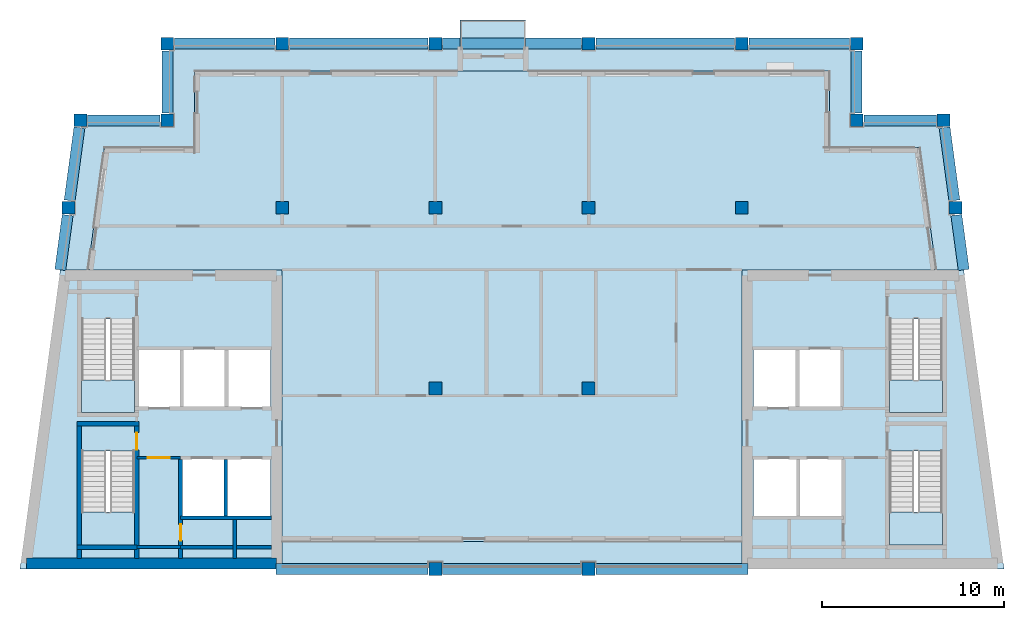
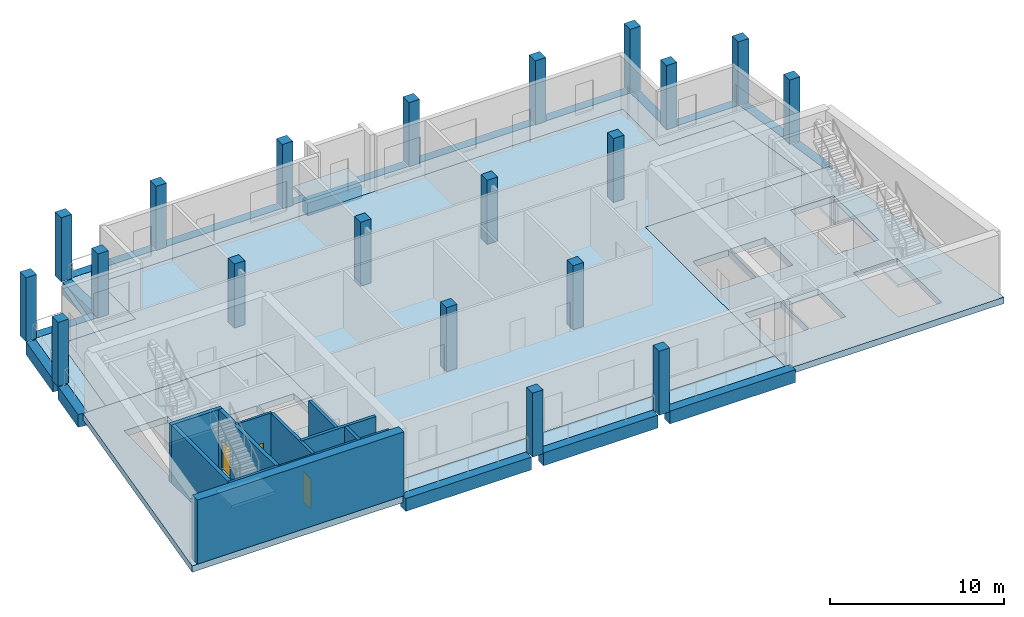
# One storey, part 1 of 9: 20 columns, 18 beams, 12 walls, 10 slabs, 3 doors, 3 openings, 4 elements without a shape of their own.
"""IFC4 building model written with IfcOpenShell, lengths in metres."""

from ifc_helpers import new_model, si_unit, direction, frame, frame_2d, origin, origin_2d, place, context, subcontext, project, spatial, polyline, rectangle, outline, extrude, material, layer, layer_set, material_profile, profile_set, type_object, element, fill, aggregate, save


model = new_model("IFC4")

# Units and contexts
model_context = context("Model", 3, precision=1e-05, world=origin(), true_north=direction((0.0, 1.0)))
body_context = subcontext(model_context, "Body", "Model", "MODEL_VIEW")
ifc_project = project(units=[si_unit("LENGTHUNIT", "METRE"), si_unit("AREAUNIT", "SQUARE_METRE"), si_unit("VOLUMEUNIT", "CUBIC_METRE"), si_unit("PLANEANGLEUNIT", "RADIAN"), si_unit("MASSUNIT", "GRAM", prefix="KILO")], contexts=[model_context])

# Site, building, storey
site_placement = place(None, origin())
site = spatial("IfcSite", under=ifc_project, at=site_placement, CompositionType="ELEMENT")
building_placement = place(site_placement, origin())
building = spatial("IfcBuilding", under=site, at=building_placement, Name="Candeia Pilgrim Tower and Theatre", CompositionType="ELEMENT")
storey_placement = place(building_placement, frame((0.0, 0.0, 303.39990234375)))
storey = spatial("IfcBuildingStorey", under=building, at=storey_placement, Name="L74", CompositionType="ELEMENT", Elevation=303.39990234375)

# Columns
ifc_material_1 = material(Name="Concrete C40/50", Category="concrete")
ifc_material_profile_1 = material_profile(ifc_material_1, rectangle(XDim=0.699951171875, YDim=0.699951171875, at=origin_2d()))
ifc_profile_set_1 = profile_set([ifc_material_profile_1], Name="Concrete C40/50")
column_type = type_object("IfcColumnType", Name="RC 700x700 C40/50", PredefinedType="COLUMN", material=ifc_profile_set_1)
for number, where, z_axis, x_axis, name in (
    (1, (94.5, 140.60009765625, 0.0), (0.0, 0.0, 1.0), (1.0, 0.0, 0.0), "Column NNW"),
    (2, (132.300048828125, 140.60009765625, 0.0), (0.0, 0.0, 1.0), (1.0, 0.0, 0.0), "Column NNE"),
    (3, (89.734619140625, 140.60009765625, 0.0), (0.0, 0.0, 1.0), (1.0, 0.0, 0.0), "Column LNW"),
    (4, (137.0654296875, 140.60009765625, 0.0), (0.0, 0.0, 1.0), (1.0, 0.0, 0.0), "Column LNE"),
    (5, (109.199951171875, 116.0, 0.0), (0.0, 0.0, 1.0), (1.0, 0.0, 0.0), "Column C3"),
    (6, (117.60009765625, 116.0, 0.0), (0.0, 0.0, 1.0), (1.0, 0.0, 0.0), "Column C4"),
    (7, (109.199951171875, 125.89990234375, 0.0), (0.0, 0.0, 1.0), (1.0, 0.0, 0.0), "Column D3"),
    (8, (117.60009765625, 125.89990234375, 0.0), (0.0, 0.0, 1.0), (1.0, 0.0, 0.0), "Column D4"),
    (9, (100.800048828125, 135.800048828125, 0.0), (0.0, 0.0, 1.0), (1.0, 0.0, 0.0), "Column E2"),
    (10, (109.199951171875, 135.800048828125, 0.0), (0.0, 0.0, 1.0), (1.0, 0.0, 0.0), "Column E3"),
    (11, (117.60009765625, 135.800048828125, 0.0), (0.0, 0.0, 1.0), (1.0, 0.0, 0.0), "Column E4"),
    (12, (126.0, 135.800048828125, 0.0), (0.0, 0.0, 1.0), (1.0, 0.0, 0.0), "Column E5"),
    (13, (89.08837890625, 135.800048828125, 0.0), (0.0, 0.0, 1.0), (1.0, 0.0, 0.0), "Column EW"),
    (14, (137.71142578125, 135.800048828125, 0.0), (0.0, 0.0, 1.0), (1.0, 0.0, 0.0), "Column EE"),
    (15, (100.800048828125, 144.800048828125, 0.0), (0.0, 0.0, 1.0), (1.0, 0.0, 0.0), "Column F2"),
    (16, (109.199951171875, 144.800048828125, 0.0), (0.0, 0.0, 1.0), (1.0, 0.0, 0.0), "Column F3"),
    (17, (117.60009765625, 144.800048828125, 0.0), (0.0, 0.0, 1.0), (1.0, 0.0, 0.0), "Column F4"),
    (18, (126.0, 144.800048828125, 0.0), (0.0, 0.0, 1.0), (1.0, 0.0, 0.0), "Column F5"),
    (19, (94.5, 144.800048828125, 0.0), (0.0, 0.0, 1.0), (1.0, 0.0, 0.0), "Column FW"),
    (20, (132.300048828125, 144.800048828125, 0.0), (0.0, 0.0, 1.0), (1.0, 0.0, 0.0), "Column FE"),
):
    element("IfcColumn", number, at=place(storey_placement, frame(where, z_axis=z_axis, x_axis=x_axis)), inside=storey, type_object=column_type, Name=name, PredefinedType="COLUMN", context=body_context, shape_type="SweptSolid", body=[
        extrude(rectangle(XDim=0.699951171875, YDim=0.699951171875, at=origin_2d()), origin(), (0.0, 0.0, 1.0), 4.5),
    ])

# Beams
ifc_material_profile_2 = material_profile(ifc_material_1, rectangle(XDim=0.60009765625, YDim=0.89990234375, at=origin_2d()))
ifc_profile_set_2 = profile_set([ifc_material_profile_2], Name="Concrete C40/50")
beam_type = type_object("IfcBeamType", Name="RC 600x900 C40/50", PredefinedType="BEAM", material=ifc_profile_set_2)
beam_1_placement = place(storey_placement, frame((90.134521484375, 140.60009765625, -0.449951171875), z_axis=(1.0, 0.0, 0.0), x_axis=(0.0, 1.0, 0.0)))
element("IfcBeam", 21, at=beam_1_placement, inside=storey, type_object=beam_type, Name="Spandrel beam L74-01", PredefinedType="BEAM", context=body_context, shape_type="SweptSolid", body=[
    extrude(rectangle(XDim=0.60009765625, YDim=0.89990234375, at=origin_2d()), origin(), (0.0, 0.0, 1.0), 3.965576171875),
])
beam_2_placement = place(storey_placement, frame((94.5, 141.0, -0.449951171875), z_axis=(0.0, 1.0, 0.0), x_axis=(-1.0, 0.0, 0.0)))
element("IfcBeam", 22, at=beam_2_placement, inside=storey, type_object=beam_type, Name="Spandrel beam L74-02", PredefinedType="BEAM", context=body_context, shape_type="SweptSolid", body=[
    extrude(rectangle(XDim=0.60009765625, YDim=0.89990234375, at=origin_2d()), origin(), (0.0, 0.0, 1.0), 3.39990234375),
])
beam_3_placement = place(storey_placement, frame((94.89990234375, 144.800048828125, -0.449951171875), z_axis=(1.0, 0.0, 0.0), x_axis=(0.0, 1.0, 0.0)))
element("IfcBeam", 23, at=beam_3_placement, inside=storey, type_object=beam_type, Name="Spandrel beam L74-03", PredefinedType="BEAM", context=body_context, shape_type="SweptSolid", body=[
    extrude(rectangle(XDim=0.60009765625, YDim=0.89990234375, at=origin_2d()), origin(), (0.0, 0.0, 1.0), 5.5),
])
beam_4_placement = place(storey_placement, frame((101.199951171875, 144.800048828125, -0.449951171875), z_axis=(1.0, 0.0, 0.0), x_axis=(0.0, 1.0, 0.0)))
element("IfcBeam", 24, at=beam_4_placement, inside=storey, type_object=beam_type, Name="Spandrel beam L74-04", PredefinedType="BEAM", context=body_context, shape_type="SweptSolid", body=[
    extrude(rectangle(XDim=0.60009765625, YDim=0.89990234375, at=origin_2d()), origin(), (0.0, 0.0, 1.0), 7.60009765625),
])
beam_5_placement = place(storey_placement, frame((109.60009765625, 144.800048828125, -0.449951171875), z_axis=(1.0, 0.0, 0.0), x_axis=(0.0, 1.0, 0.0)))
element("IfcBeam", 25, at=beam_5_placement, inside=storey, type_object=beam_type, Name="Spandrel beam L74-05", PredefinedType="BEAM", context=body_context, shape_type="SweptSolid", body=[
    extrude(rectangle(XDim=0.60009765625, YDim=0.89990234375, at=origin_2d()), origin(), (0.0, 0.0, 1.0), 0.949951171875),
])
beam_6_placement = place(storey_placement, frame((110.550048828125, 144.800048828125, -0.699951171875), z_axis=(1.0, 0.0, 0.0), x_axis=(0.0, 1.0, 0.0)))
element("IfcBeam", 26, at=beam_6_placement, inside=storey, type_object=beam_type, Name="Spandrel beam L74-06", PredefinedType="BEAM", context=body_context, shape_type="SweptSolid", body=[
    extrude(rectangle(XDim=0.60009765625, YDim=0.89990234375, at=origin_2d()), origin(), (0.0, 0.0, 1.0), 3.599853515625),
])
beam_7_placement = place(storey_placement, frame((114.14990234375, 144.800048828125, -0.449951171875), z_axis=(1.0, 0.0, 0.0), x_axis=(0.0, 1.0, 0.0)))
element("IfcBeam", 27, at=beam_7_placement, inside=storey, type_object=beam_type, Name="Spandrel beam L74-07", PredefinedType="BEAM", context=body_context, shape_type="SweptSolid", body=[
    extrude(rectangle(XDim=0.60009765625, YDim=0.89990234375, at=origin_2d()), origin(), (0.0, 0.0, 1.0), 3.050048828125),
])
beam_8_placement = place(storey_placement, frame((118.0, 144.800048828125, -0.449951171875), z_axis=(1.0, 0.0, 0.0), x_axis=(0.0, 1.0, 0.0)))
element("IfcBeam", 28, at=beam_8_placement, inside=storey, type_object=beam_type, Name="Spandrel beam L74-08", PredefinedType="BEAM", context=body_context, shape_type="SweptSolid", body=[
    extrude(rectangle(XDim=0.60009765625, YDim=0.89990234375, at=origin_2d()), origin(), (0.0, 0.0, 1.0), 7.60009765625),
])
beam_9_placement = place(storey_placement, frame((126.39990234375, 144.800048828125, -0.449951171875), z_axis=(1.0, 0.0, 0.0), x_axis=(0.0, 1.0, 0.0)))
element("IfcBeam", 29, at=beam_9_placement, inside=storey, type_object=beam_type, Name="Spandrel beam L74-09", PredefinedType="BEAM", context=body_context, shape_type="SweptSolid", body=[
    extrude(rectangle(XDim=0.60009765625, YDim=0.89990234375, at=origin_2d()), origin(), (0.0, 0.0, 1.0), 5.5),
])
beam_10_placement = place(storey_placement, frame((132.300048828125, 144.39990234375, -0.449951171875), z_axis=(0.0, -1.0, 0.0), x_axis=(1.0, 0.0, 0.0)))
element("IfcBeam", 30, at=beam_10_placement, inside=storey, type_object=beam_type, Name="Spandrel beam L74-10", PredefinedType="BEAM", context=body_context, shape_type="SweptSolid", body=[
    extrude(rectangle(XDim=0.60009765625, YDim=0.89990234375, at=origin_2d()), origin(), (0.0, 0.0, 1.0), 3.39990234375),
])
beam_11_placement = place(storey_placement, frame((132.699951171875, 140.60009765625, -0.449951171875), z_axis=(1.0, 0.0, 0.0), x_axis=(0.0, 1.0, 0.0)))
element("IfcBeam", 31, at=beam_11_placement, inside=storey, type_object=beam_type, Name="Spandrel beam L74-11", PredefinedType="BEAM", context=body_context, shape_type="SweptSolid", body=[
    extrude(rectangle(XDim=0.60009765625, YDim=0.89990234375, at=origin_2d()), origin(), (0.0, 0.0, 1.0), 3.96533203125),
])
beam_12_placement = place(storey_placement, frame((137.119140625, 140.199951171875, -0.449951171875), z_axis=(0.133439433328, -0.991056969923, 0.0), x_axis=(0.991056969923, 0.133439433328, 0.0)))
element("IfcBeam", 32, at=beam_12_placement, inside=storey, type_object=beam_type, Name="Spandrel beam L74-12", PredefinedType="BEAM", context=body_context, shape_type="SweptSolid", body=[
    extrude(rectangle(XDim=0.60009765625, YDim=0.89990234375, at=origin_2d()), origin(), (0.0, 0.0, 1.0), 4.0361328125),
])
beam_13_placement = place(storey_placement, frame((137.765380859375, 135.39990234375, -0.449951171875), z_axis=(0.133399824849, -0.991062302144, 0.0), x_axis=(0.991062302144, 0.133399824849, 0.0)))
element("IfcBeam", 33, at=beam_13_placement, inside=storey, type_object=beam_type, Name="Spandrel beam L74-13", PredefinedType="BEAM", context=body_context, shape_type="SweptSolid", body=[
    extrude(rectangle(XDim=0.60009765625, YDim=0.89990234375, at=origin_2d()), origin(), (0.0, 0.0, 1.0), 3.027099609375),
])
beam_14_placement = place(storey_placement, frame((126.35009765625, 116.0, -0.449951171875), z_axis=(-1.0, 0.0, 0.0), x_axis=(0.0, -1.0, 0.0)))
element("IfcBeam", 34, at=beam_14_placement, inside=storey, type_object=beam_type, Name="Spandrel beam L74-14", PredefinedType="BEAM", context=body_context, shape_type="SweptSolid", body=[
    extrude(rectangle(XDim=0.60009765625, YDim=0.89990234375, at=origin_2d()), origin(), (0.0, 0.0, 1.0), 8.35009765625),
])
beam_15_placement = place(storey_placement, frame((117.199951171875, 116.0, -0.449951171875), z_axis=(-1.0, 0.0, 0.0), x_axis=(0.0, -1.0, 0.0)))
element("IfcBeam", 35, at=beam_15_placement, inside=storey, type_object=beam_type, Name="Spandrel beam L74-15", PredefinedType="BEAM", context=body_context, shape_type="SweptSolid", body=[
    extrude(rectangle(XDim=0.60009765625, YDim=0.89990234375, at=origin_2d()), origin(), (0.0, 0.0, 1.0), 7.599853515625),
])
beam_16_placement = place(storey_placement, frame((108.800048828125, 116.0, -0.449951171875), z_axis=(-1.0, 0.0, 0.0), x_axis=(0.0, -1.0, 0.0)))
element("IfcBeam", 36, at=beam_16_placement, inside=storey, type_object=beam_type, Name="Spandrel beam L74-16", PredefinedType="BEAM", context=body_context, shape_type="SweptSolid", body=[
    extrude(rectangle(XDim=0.60009765625, YDim=0.89990234375, at=origin_2d()), origin(), (0.0, 0.0, 1.0), 8.35009765625),
])
beam_17_placement = place(storey_placement, frame((88.630859375, 132.39990234375, -0.449951171875), z_axis=(0.133399824849, 0.991062302144, 0.0), x_axis=(-0.991062302144, 0.133399824849, 0.0)))
element("IfcBeam", 37, at=beam_17_placement, inside=storey, type_object=beam_type, Name="Spandrel beam L74-17", PredefinedType="BEAM", context=body_context, shape_type="SweptSolid", body=[
    extrude(rectangle(XDim=0.60009765625, YDim=0.89990234375, at=origin_2d()), origin(), (0.0, 0.0, 1.0), 3.027099609375),
])
beam_18_placement = place(storey_placement, frame((89.142333984375, 136.199951171875, -0.449951171875), z_axis=(0.13338002037, 0.991064967682, 0.0), x_axis=(-0.991064967682, 0.13338002037, 0.0)))
element("IfcBeam", 38, at=beam_18_placement, inside=storey, type_object=beam_type, Name="Spandrel beam L74-18", PredefinedType="BEAM", context=body_context, shape_type="SweptSolid", body=[
    extrude(rectangle(XDim=0.60009765625, YDim=0.89990234375, at=origin_2d()), origin(), (0.0, 0.0, 1.0), 4.0361328125),
])

# Slabs
ifc_layer_1 = layer(ifc_material_1, 0.25)
ifc_layer_set_1 = layer_set([ifc_layer_1], Name="BK1 balcony slab 250")
slab_type_1 = type_object("IfcSlabType", Name="BK1 balcony slab 250", PredefinedType="USERDEFINED", material=ifc_layer_set_1)
slab_1_placement = place(storey_placement, frame((0.0, 0.0, -0.25)))
element("IfcSlab", 39, at=slab_1_placement, inside=storey, type_object=slab_type_1, Name="Balcony L74", ObjectType="BALCONY", PredefinedType="USERDEFINED", context=body_context, shape_type="SweptSolid", body=[
    extrude(outline(polyline([(110.550048828125, 144.5), (114.14990234375, 144.5), (114.14990234375, 146.10009765625), (110.550048828125, 146.10009765625), (110.550048828125, 144.5)])), origin(), (0.0, 0.0, 1.0), 0.25),
])
ifc_material_2 = material(Name="Concrete C60/75", Category="concrete")
ifc_layer_2 = layer(ifc_material_2, 0.449951171875)
ifc_layer_set_2 = layer_set([ifc_layer_2], Name="FS-CORE 450 core floor")
slab_type_2 = type_object("IfcSlabType", Name="FS-CORE 450 core floor", PredefinedType="FLOOR", material=ifc_layer_set_2)
slab_2_placement = place(storey_placement, frame((0.0, 0.0, -0.449951171875)))
element("IfcSlab", 40, at=slab_2_placement, inside=storey, type_object=slab_type_2, Name="Core floor W L74", PredefinedType="FLOOR", context=body_context, shape_type="SweptSolid", body=[
    extrude(outline(polyline([(100.800048828125, 132.39990234375), (100.800048828125, 116.0), (86.423095703125, 116.0), (88.630859375, 132.39990234375), (100.800048828125, 132.39990234375)]), holes=[polyline([(97.763427734375, 122.050048828125), (97.763427734375, 118.85009765625), (100.14990234375, 118.85009765625), (100.14990234375, 122.050048828125), (97.763427734375, 122.050048828125)]), polyline([(97.792236328125, 128.050048828125), (97.792236328125, 124.85009765625), (100.14990234375, 124.85009765625), (100.14990234375, 128.050048828125), (97.792236328125, 128.050048828125)]), polyline([(95.334716796875, 128.050048828125), (95.334716796875, 124.85009765625), (97.6923828125, 124.85009765625), (97.6923828125, 128.050048828125), (95.334716796875, 128.050048828125)]), polyline([(95.277099609375, 122.050048828125), (95.277099609375, 118.85009765625), (97.66357421875, 118.85009765625), (97.66357421875, 122.050048828125), (95.277099609375, 122.050048828125)]), polyline([(92.876953125, 128.050048828125), (92.876953125, 124.85009765625), (95.234619140625, 124.85009765625), (95.234619140625, 128.050048828125), (92.876953125, 128.050048828125)]), polyline([(89.802001953125, 117.324951171875), (92.701904296875, 117.324951171875), (92.701904296875, 122.455078125), (89.802001953125, 122.455078125), (89.802001953125, 117.324951171875)]), polyline([(89.802001953125, 129.705078125), (89.802001953125, 124.574951171875), (92.701904296875, 124.574951171875), (92.701904296875, 129.705078125), (89.802001953125, 129.705078125)])]), origin(), (0.0, 0.0, 1.0), 0.449951171875),
])
slab_3_placement = place(storey_placement, frame((0.0, 0.0, -0.449951171875)))
element("IfcSlab", 41, at=slab_3_placement, inside=storey, type_object=slab_type_2, Name="Core floor E L74", PredefinedType="FLOOR", context=body_context, shape_type="SweptSolid", body=[
    extrude(outline(polyline([(138.169189453125, 132.39990234375), (140.376953125, 116.0), (126.0, 116.0), (126.0, 132.39990234375), (138.169189453125, 132.39990234375)]), holes=[polyline([(134.097900390625, 117.324951171875), (136.998046875, 117.324951171875), (136.998046875, 122.455078125), (134.097900390625, 122.455078125), (134.097900390625, 117.324951171875)]), polyline([(134.097900390625, 129.705078125), (134.097900390625, 124.574951171875), (136.998046875, 124.574951171875), (136.998046875, 129.705078125), (134.097900390625, 129.705078125)]), polyline([(131.52294921875, 122.050048828125), (129.136474609375, 122.050048828125), (129.136474609375, 118.85009765625), (131.52294921875, 118.85009765625), (131.52294921875, 122.050048828125)]), polyline([(131.46533203125, 128.050048828125), (129.107666015625, 128.050048828125), (129.107666015625, 124.85009765625), (131.46533203125, 124.85009765625), (131.46533203125, 128.050048828125)]), polyline([(129.03662109375, 122.050048828125), (126.64990234375, 122.050048828125), (126.64990234375, 118.85009765625), (129.03662109375, 118.85009765625), (129.03662109375, 122.050048828125)]), polyline([(126.64990234375, 128.050048828125), (126.64990234375, 124.85009765625), (129.0078125, 124.85009765625), (129.0078125, 128.050048828125), (126.64990234375, 128.050048828125)])]), origin(), (0.0, 0.0, 1.0), 0.449951171875),
])
ifc_material_3 = material(Name="Concrete C50/60", Category="concrete")
ifc_layer_3 = layer(ifc_material_3, 0.449951171875)
ifc_layer_set_3 = layer_set([ifc_layer_3], Name="Floor slab 450 C50/60")
slab_type_3 = type_object("IfcSlabType", Name="Floor slab 450 C50/60", PredefinedType="FLOOR", material=ifc_layer_set_3)
slab_4_placement = place(storey_placement, frame((0.0, 0.0, -0.449951171875)))
element("IfcSlab", 42, at=slab_4_placement, inside=storey, type_object=slab_type_3, Name="Floor slab L74", PredefinedType="FLOOR", context=body_context, shape_type="SweptSolid", body=[
    extrude(outline(polyline([(96.0, 139.10009765625), (96.0, 143.300048828125), (130.800048828125, 143.300048828125), (130.800048828125, 139.10009765625), (135.753662109375, 139.10009765625), (136.65576171875, 132.39990234375), (126.0, 132.39990234375), (126.0, 117.5), (100.800048828125, 117.5), (100.800048828125, 132.39990234375), (90.144287109375, 132.39990234375), (91.046142578125, 139.10009765625), (96.0, 139.10009765625)])), origin(), (0.0, 0.0, 1.0), 0.449951171875),
])
ifc_layer_4 = layer(ifc_material_1, 0.25)
ifc_layer_set_4 = layer_set([ifc_layer_4], Name="Loggia slab 250 C40/50")
slab_type_4 = type_object("IfcSlabType", Name="Loggia slab 250 C40/50", PredefinedType="FLOOR", material=ifc_layer_set_4)
slab_5_placement = place(storey_placement, frame((0.0, 0.0, -0.25)))
element("IfcSlab", 43, at=slab_5_placement, inside=storey, type_object=slab_type_4, Name="Loggia slab L74 1", PredefinedType="FLOOR", context=body_context, shape_type="SweptSolid", body=[
    extrude(outline(polyline([(100.800048828125, 117.5), (126.0, 117.5), (126.0, 116.300048828125), (100.800048828125, 116.300048828125), (100.800048828125, 117.5)])), origin(), (0.0, 0.0, 1.0), 0.25),
])
slab_6_placement = place(storey_placement, frame((0.0, 0.0, -0.25)))
element("IfcSlab", 44, at=slab_6_placement, inside=storey, type_object=slab_type_4, Name="Loggia slab L74 2", PredefinedType="FLOOR", context=body_context, shape_type="SweptSolid", body=[
    extrude(outline(polyline([(136.65576171875, 132.39990234375), (135.753662109375, 139.10009765625), (130.800048828125, 139.10009765625), (130.800048828125, 143.300048828125), (96.0, 143.300048828125), (96.0, 139.10009765625), (91.046142578125, 139.10009765625), (90.144287109375, 132.39990234375), (88.93359375, 132.39990234375), (89.996826171875, 140.300048828125), (94.800048828125, 140.300048828125), (94.800048828125, 144.5), (132.0, 144.5), (132.0, 140.300048828125), (136.802978515625, 140.300048828125), (137.866455078125, 132.39990234375), (136.65576171875, 132.39990234375)])), origin(), (0.0, 0.0, 1.0), 0.25),
])

# Stair, slab
stair_type = type_object("IfcStairType", Name="ST-TWR dog-leg escape stair", PredefinedType="HALF_TURN_STAIR", material=ifc_material_1)
stair_1_placement = place(storey_placement, origin())
stair_1 = element("IfcStair", 45, at=stair_1_placement, inside=storey, type_object=stair_type, Name="L74 Escape stair ST1", PredefinedType="HALF_TURN_STAIR")
ifc_layer_5 = layer(ifc_material_1, 0.199951171875)
ifc_layer_set_5 = layer_set([ifc_layer_5], Name="SL-LANDING stair landing")
slab_type_5 = type_object("IfcSlabType", Name="SL-LANDING stair landing", PredefinedType="LANDING", material=ifc_layer_set_5)
slab_7_placement = place(storey_placement, frame((0.0, 0.0, 2.050048828125)))
slab_7 = element("IfcSlab", 46, at=slab_7_placement, type_object=slab_type_5, Name="ST1 landing 1", PredefinedType="LANDING", context=body_context, shape_type="SweptSolid", body=[
    extrude(outline(polyline([(89.802001953125, 119.114990234375), (89.802001953125, 117.324951171875), (92.701904296875, 117.324951171875), (92.701904296875, 119.114990234375), (89.802001953125, 119.114990234375)])), origin(), (0.0, 0.0, 1.0), 0.199951171875),
])
aggregate(stair_1, [slab_7])

stair_2_placement = place(storey_placement, origin())
stair_2 = element("IfcStair", 47, at=stair_2_placement, inside=storey, type_object=stair_type, Name="L74 Escape stair ST2", PredefinedType="HALF_TURN_STAIR")
slab_8_placement = place(storey_placement, frame((0.0, 0.0, 2.050048828125)))
slab_8 = element("IfcSlab", 48, at=slab_8_placement, type_object=slab_type_5, Name="ST2 landing 1", PredefinedType="LANDING", context=body_context, shape_type="SweptSolid", body=[
    extrude(outline(polyline([(89.802001953125, 126.364990234375), (89.802001953125, 124.574951171875), (92.701904296875, 124.574951171875), (92.701904296875, 126.364990234375), (89.802001953125, 126.364990234375)])), origin(), (0.0, 0.0, 1.0), 0.199951171875),
])
aggregate(stair_2, [slab_8])

stair_3_placement = place(storey_placement, origin())
stair_3 = element("IfcStair", 49, at=stair_3_placement, inside=storey, type_object=stair_type, Name="L74 Escape stair ST3", PredefinedType="HALF_TURN_STAIR")
slab_9_placement = place(storey_placement, frame((0.0, 0.0, 2.050048828125)))
slab_9 = element("IfcSlab", 50, at=slab_9_placement, type_object=slab_type_5, Name="ST3 landing 1", PredefinedType="LANDING", context=body_context, shape_type="SweptSolid", body=[
    extrude(outline(polyline([(134.097900390625, 119.114990234375), (134.097900390625, 117.324951171875), (136.998046875, 117.324951171875), (136.998046875, 119.114990234375), (134.097900390625, 119.114990234375)])), origin(), (0.0, 0.0, 1.0), 0.199951171875),
])
aggregate(stair_3, [slab_9])

stair_4_placement = place(storey_placement, origin())
stair_4 = element("IfcStair", 51, at=stair_4_placement, inside=storey, type_object=stair_type, Name="L74 Escape stair ST4", PredefinedType="HALF_TURN_STAIR")
slab_10_placement = place(storey_placement, frame((0.0, 0.0, 2.050048828125)))
slab_10 = element("IfcSlab", 52, at=slab_10_placement, type_object=slab_type_5, Name="ST4 landing 1", PredefinedType="LANDING", context=body_context, shape_type="SweptSolid", body=[
    extrude(outline(polyline([(134.097900390625, 126.364990234375), (134.097900390625, 124.574951171875), (136.998046875, 124.574951171875), (136.998046875, 126.364990234375), (134.097900390625, 126.364990234375)])), origin(), (0.0, 0.0, 1.0), 0.199951171875),
])
aggregate(stair_4, [slab_10])

# Walls
ifc_layer_6 = layer(ifc_material_1, 0.60009765625)
ifc_layer_set_6 = layer_set([ifc_layer_6], Name="Core wall 600 C40/50")
wall_type_1 = type_object("IfcWallType", Name="Core wall 600 C40/50", PredefinedType="SHEAR", material=ifc_layer_set_6)
wall_1_placement = place(storey_placement, frame((100.5, 116.300048828125, 0.0), z_axis=(0.0, 0.0, 1.0), x_axis=(-1.0, 0.0, 0.0)))
element("IfcWall", 53, at=wall_1_placement, inside=storey, type_object=wall_type_1, Name="Core wall W3", PredefinedType="SHEAR", context=body_context, shape_type="SweptSolid", body=[
    extrude(rectangle(XDim=13.73388671875, YDim=0.60009765625, at=frame_2d((6.866943359375, 0.0))), origin(), (0.0, 0.0, 1.0), 4.5),
])
ifc_material_4 = material(Name="Gypsum board partition on steel studs", Category="steel")
ifc_layer_7 = layer(ifc_material_4, 0.14990234375)
ifc_layer_set_7 = layer_set([ifc_layer_7], Name="PW-150 lobby wall")
wall_type_2 = type_object("IfcWallType", Name="PW-150 lobby wall", PredefinedType="PARTITIONING", material=ifc_layer_set_7)
wall_2_placement = place(storey_placement, frame((92.826904296875, 117.199951171875, 0.0), z_axis=(0.0, 0.0, 1.0), x_axis=(1.0, 0.0, 0.0)))
element("IfcWall", 54, at=wall_2_placement, inside=storey, type_object=wall_type_2, Name="Lobby wall L74-003", PredefinedType="PARTITIONING", context=body_context, shape_type="SweptSolid", body=[
    extrude(rectangle(XDim=2.400146484375, YDim=0.14990234375, at=frame_2d((1.2001953125, 0.0))), origin(), (0.0, 0.0, 1.0), 4.050048828125),
])

# Wall, opening, door
wall_3_placement = place(storey_placement, frame((92.826904296875, 122.10009765625, 0.0), z_axis=(0.0, 0.0, 1.0), x_axis=(1.0, 0.0, 0.0)))
wall_3 = element("IfcWall", 55, at=wall_3_placement, inside=storey, type_object=wall_type_2, Name="Lobby wall L74-011", PredefinedType="PARTITIONING", context=body_context, shape_type="SweptSolid", body=[
    extrude(rectangle(XDim=2.400146484375, YDim=0.14990234375, at=frame_2d((1.2001953125, 0.0))), origin(), (0.0, 0.0, 1.0), 4.050048828125),
])
opening_1_placement = place(wall_3_placement, frame((0.60009765625, 0.0, 0.0)))
opening_1 = element("IfcOpeningElement", 56, at=opening_1_placement, cuts=wall_3, Name="Opening L74-D011", PredefinedType="OPENING", context=body_context, shape_type="SweptSolid", body=[
    extrude(rectangle(XDim=1.199951171875, YDim=2.10009765625, at=frame_2d((0.60009765625, 1.050048828125))), frame((0.0, 0.0849609375, 0.0), z_axis=(0.0, -1.0, 0.0), x_axis=(1.0, 0.0, 0.0)), (0.0, 0.0, 1.0), 0.169921875),
])
ifc_material_5 = material(Name="Steel fire door set", Category="steel")
door_type_1 = type_object("IfcDoorType", Name="D-1200-FD60", OperationType="NOTDEFINED", PredefinedType="DOOR", material=ifc_material_5)
door_1_placement = place(opening_1_placement, origin())
door_1 = element("IfcDoor", 57, at=door_1_placement, inside=storey, type_object=door_type_1, Name="Door L74-D011", OperationType="SINGLE_SWING_LEFT", OverallHeight=2.10009765625, OverallWidth=1.199951171875, PredefinedType="DOOR", context=body_context, shape_type="SweptSolid", body=[
    extrude(rectangle(XDim=1.199951171875, YDim=2.10009765625, at=frame_2d((0.60009765625, 1.050048828125))), frame((0.0, 0.02490234375, 0.0), z_axis=(0.0, -1.0, 0.0), x_axis=(1.0, 0.0, 0.0)), (0.0, 0.0, 1.0), 0.050048828125),
])
fill(opening_1, door_1)

# Walls
ifc_layer_8 = layer(ifc_material_1, 0.199951171875)
ifc_layer_set_8 = layer_set([ifc_layer_8], Name="SW-200 shaft wall")
wall_type_3 = type_object("IfcWallType", Name="SW-200 shaft wall", PredefinedType="PARTITIONING", material=ifc_layer_set_8)
for number, where, z_axis, x_axis, name in (
    (58, (95.22705078125, 117.199951171875, 0.0), (0.0, 0.0, 1.0), (1.0, 0.0, 0.0), "Shaft wall L74-001"),
    (59, (95.22705078125, 118.800048828125, 0.0), (0.0, 0.0, 1.0), (1.0, 0.0, 0.0), "Shaft wall L74-007"),
):
    element("IfcWall", number, at=place(storey_placement, frame(where, z_axis=z_axis, x_axis=x_axis)), inside=storey, type_object=wall_type_3, Name=name, PredefinedType="PARTITIONING", context=body_context, shape_type="SweptSolid", body=[
        extrude(rectangle(XDim=4.972900390625, YDim=0.199951171875, at=frame_2d((2.486328125, 0.0))), origin(), (0.0, 0.0, 1.0), 4.050048828125),
    ])

# Wall, opening, door
wall_4_placement = place(storey_placement, frame((95.22705078125, 116.570068359375, 0.0), z_axis=(0.0, 0.0, 1.0), x_axis=(0.0, 1.0, 0.0)))
wall_4 = element("IfcWall", 60, at=wall_4_placement, inside=storey, type_object=wall_type_3, Name="Shaft wall L74-034", PredefinedType="PARTITIONING", context=body_context, shape_type="SweptSolid", body=[
    extrude(rectangle(XDim=5.429931640625, YDim=0.199951171875, at=frame_2d((2.71484375, 0.0))), origin(), (0.0, 0.0, 1.0), 4.050048828125),
])
opening_2_placement = place(wall_4_placement, frame((0.97998046875, 0.0, 0.0)))
opening_2 = element("IfcOpeningElement", 61, at=opening_2_placement, cuts=wall_4, Name="Opening L74-D014", PredefinedType="OPENING", context=body_context, shape_type="SweptSolid", body=[
    extrude(rectangle(XDim=0.89990234375, YDim=2.10009765625, at=frame_2d((0.449951171875, 1.050048828125))), frame((0.0, 0.10986328125, 0.0), z_axis=(0.0, -1.0, 0.0), x_axis=(1.0, 0.0, 0.0)), (0.0, 0.0, 1.0), 0.219970703125),
])
door_type_2 = type_object("IfcDoorType", Name="D-900-FD60", OperationType="NOTDEFINED", PredefinedType="DOOR", material=ifc_material_5)
door_2_placement = place(opening_2_placement, origin())
door_2 = element("IfcDoor", 62, at=door_2_placement, inside=storey, type_object=door_type_2, Name="Door L74-D014", OperationType="SINGLE_SWING_LEFT", OverallHeight=2.10009765625, OverallWidth=0.89990234375, PredefinedType="DOOR", context=body_context, shape_type="SweptSolid", body=[
    extrude(rectangle(XDim=0.89990234375, YDim=2.10009765625, at=frame_2d((0.449951171875, 1.050048828125))), frame((0.0, 0.02490234375, 0.0), z_axis=(0.0, -1.0, 0.0), x_axis=(1.0, 0.0, 0.0)), (0.0, 0.0, 1.0), 0.050048828125),
])
fill(opening_2, door_2)

# Walls
wall_5_placement = place(storey_placement, frame((97.71337890625, 118.89990234375, 0.0), z_axis=(0.0, 0.0, 1.0), x_axis=(0.0, 1.0, 0.0)))
element("IfcWall", 63, at=wall_5_placement, inside=storey, type_object=wall_type_3, Name="Shaft wall L74-036", PredefinedType="PARTITIONING", context=body_context, shape_type="SweptSolid", body=[
    extrude(rectangle(XDim=3.10009765625, YDim=0.199951171875, at=frame_2d((1.550048828125, 0.0))), origin(), (0.0, 0.0, 1.0), 4.050048828125),
])
wall_6_placement = place(storey_placement, frame((98.199951171875, 116.570068359375, 0.0), z_axis=(0.0, 0.0, 1.0), x_axis=(0.0, 1.0, 0.0)))
element("IfcWall", 64, at=wall_6_placement, inside=storey, type_object=wall_type_3, Name="Shaft wall L74-038", PredefinedType="PARTITIONING", context=body_context, shape_type="SweptSolid", body=[
    extrude(rectangle(XDim=2.1298828125, YDim=0.199951171875, at=frame_2d((1.06494140625, 0.0))), origin(), (0.0, 0.0, 1.0), 4.050048828125),
])
ifc_layer_9 = layer(ifc_material_1, 0.25)
ifc_layer_set_9 = layer_set([ifc_layer_9], Name="SW-250 stair wall")
wall_type_4 = type_object("IfcWallType", Name="SW-250 stair wall", PredefinedType="PARTITIONING", material=ifc_layer_set_9)
wall_7_placement = place(storey_placement, frame((89.552001953125, 117.199951171875, 0.0), z_axis=(0.0, 0.0, 1.0), x_axis=(1.0, 0.0, 0.0)))
element("IfcWall", 65, at=wall_7_placement, inside=storey, type_object=wall_type_4, Name="Stair wall L74-005", PredefinedType="PARTITIONING", context=body_context, shape_type="SweptSolid", body=[
    extrude(rectangle(XDim=3.27490234375, YDim=0.25, at=frame_2d((1.637451171875, 0.0))), origin(), (0.0, 0.0, 1.0), 4.050048828125),
])
wall_8_placement = place(storey_placement, frame((89.552001953125, 123.949951171875, 0.0), z_axis=(0.0, 0.0, 1.0), x_axis=(1.0, 0.0, 0.0)))
element("IfcWall", 66, at=wall_8_placement, inside=storey, type_object=wall_type_4, Name="Stair wall L74-013", PredefinedType="PARTITIONING", context=body_context, shape_type="SweptSolid", body=[
    extrude(rectangle(XDim=3.39990234375, YDim=0.25, at=frame_2d((1.699951171875, 0.0))), origin(), (0.0, 0.0, 1.0), 4.050048828125),
])
wall_9_placement = place(storey_placement, frame((89.677001953125, 116.570068359375, 0.0), z_axis=(0.0, 0.0, 1.0), x_axis=(0.0, 1.0, 0.0)))
element("IfcWall", 67, at=wall_9_placement, inside=storey, type_object=wall_type_4, Name="Stair wall L74-029", PredefinedType="PARTITIONING", context=body_context, shape_type="SweptSolid", body=[
    extrude(rectangle(XDim=7.2548828125, YDim=0.25, at=frame_2d((3.62744140625, 0.0))), origin(), (0.0, 0.0, 1.0), 4.050048828125),
])

# Wall, opening, door
wall_10_placement = place(storey_placement, frame((92.826904296875, 116.570068359375, 0.0), z_axis=(0.0, 0.0, 1.0), x_axis=(0.0, 1.0, 0.0)))
wall_10 = element("IfcWall", 68, at=wall_10_placement, inside=storey, type_object=wall_type_4, Name="Stair wall L74-032", PredefinedType="PARTITIONING", context=body_context, shape_type="SweptSolid", body=[
    extrude(rectangle(XDim=7.2548828125, YDim=0.25, at=frame_2d((3.62744140625, 0.0))), origin(), (0.0, 0.0, 1.0), 4.050048828125),
])
opening_3_placement = place(wall_10_placement, frame((5.955078125, 0.0, 0.0)))
opening_3 = element("IfcOpeningElement", 69, at=opening_3_placement, cuts=wall_10, Name="Opening L74-D012", PredefinedType="OPENING", context=body_context, shape_type="SweptSolid", body=[
    extrude(rectangle(XDim=0.949951171875, YDim=2.10009765625, at=frame_2d((0.47509765625, 1.050048828125))), frame((0.0, 0.135009765625, 0.0), z_axis=(0.0, -1.0, 0.0), x_axis=(1.0, 0.0, 0.0)), (0.0, 0.0, 1.0), 0.27001953125),
])
door_type_3 = type_object("IfcDoorType", Name="D-950-FD60", OperationType="NOTDEFINED", PredefinedType="DOOR", material=ifc_material_5)
door_3_placement = place(opening_3_placement, origin())
door_3 = element("IfcDoor", 70, at=door_3_placement, inside=storey, type_object=door_type_3, Name="Door L74-D012", OperationType="SINGLE_SWING_LEFT", OverallHeight=2.10009765625, OverallWidth=0.949951171875, PredefinedType="DOOR", context=body_context, shape_type="SweptSolid", body=[
    extrude(rectangle(XDim=0.949951171875, YDim=2.10009765625, at=frame_2d((0.47509765625, 1.050048828125))), frame((0.0, 0.02490234375, 0.0), z_axis=(0.0, -1.0, 0.0), x_axis=(1.0, 0.0, 0.0)), (0.0, 0.0, 1.0), 0.050048828125),
])
fill(opening_3, door_3)

save(model, "model.ifc")
